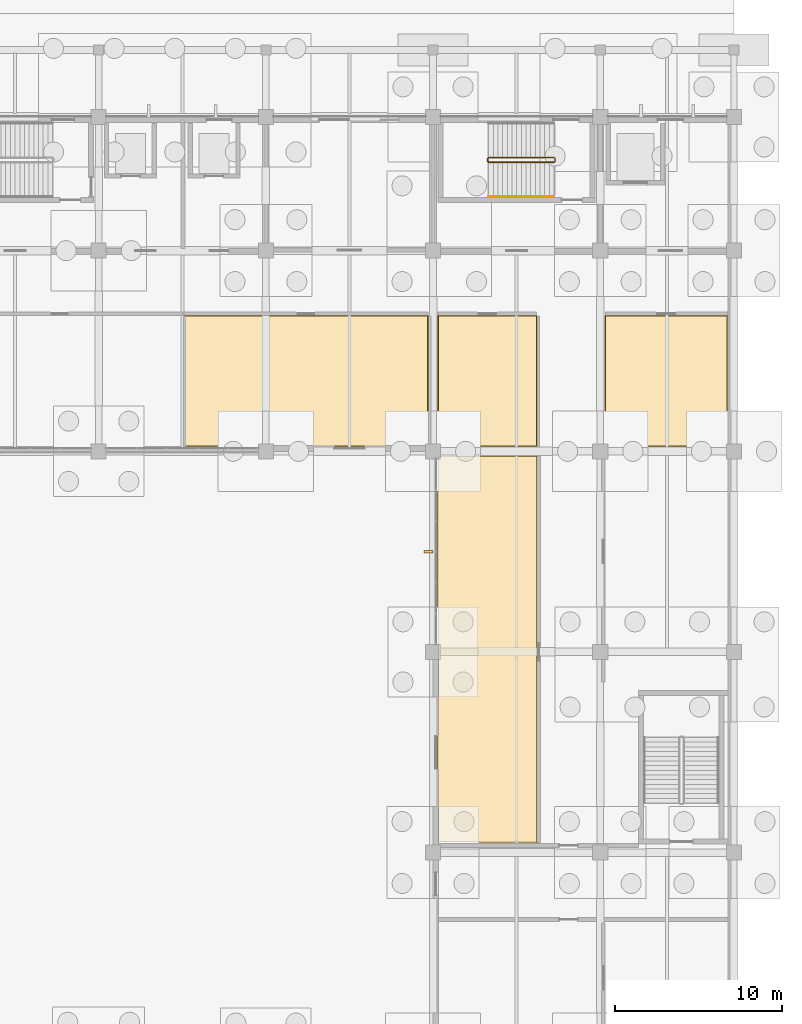
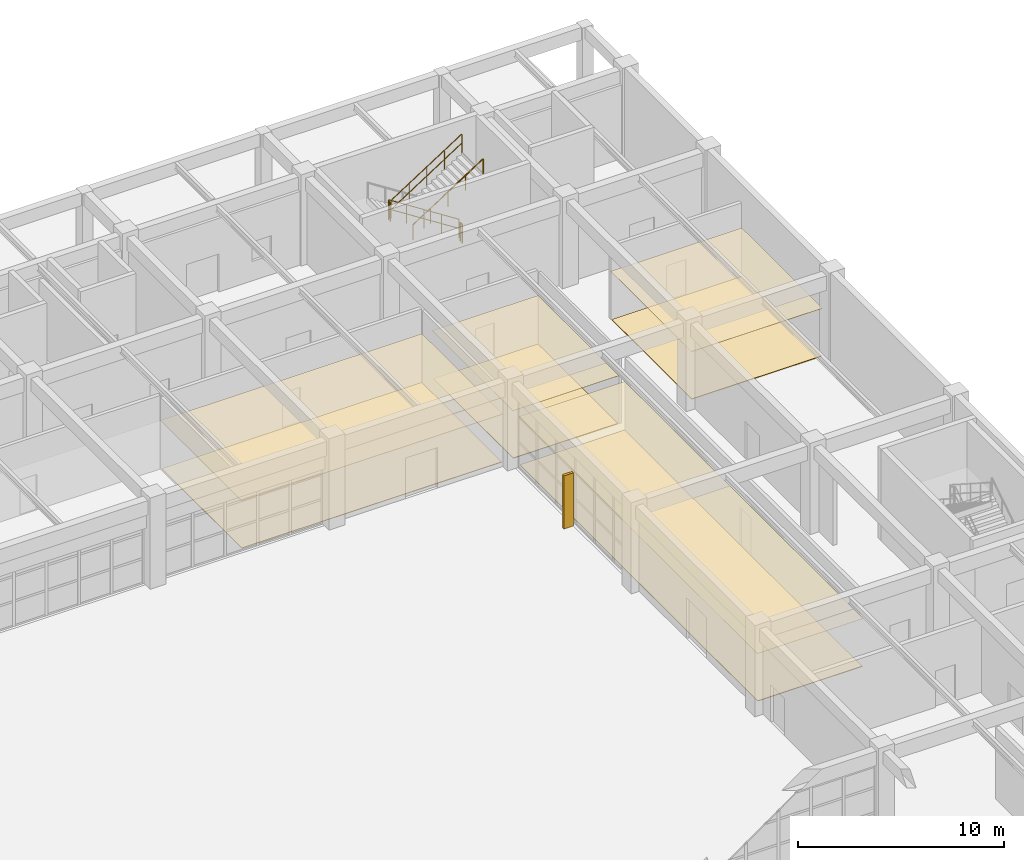
# One storey, part 97 of 99: 8 coverings, 5 railings, 1 shading device.
"""IFC4 building model written with IfcOpenShell, lengths in metres."""

from ifc_helpers import new_model, si_unit, direction, frame, origin, origin_2d, place, context, subcontext, project, spatial, polyline, rectangle, circle, outline, extrude, material, layer, layer_set, type_object, element, save


model = new_model("IFC4")

# Units and contexts
model_context = context("Model", 3, precision=1e-05, world=origin(), true_north=direction((0.0, 1.0)))
body_context = subcontext(model_context, "Body", "Model", "MODEL_VIEW")
ifc_project = project(units=[si_unit("LENGTHUNIT", "METRE"), si_unit("AREAUNIT", "SQUARE_METRE"), si_unit("VOLUMEUNIT", "CUBIC_METRE"), si_unit("PLANEANGLEUNIT", "RADIAN"), si_unit("MASSUNIT", "GRAM", prefix="KILO")], contexts=[model_context])

# Site, building, storey
site_placement = place(None, origin())
site = spatial("IfcSite", under=ifc_project, at=site_placement, CompositionType="ELEMENT")
building_placement = place(site_placement, origin())
building = spatial("IfcBuilding", under=site, at=building_placement, Name="Kivolera Central Railway Station", CompositionType="ELEMENT")
storey_placement = place(building_placement, origin())
storey = spatial("IfcBuildingStorey", under=building, at=storey_placement, Name="L00", CompositionType="ELEMENT", Elevation=0.0)

# Shading device
ifc_material_1 = material(Name="Precast concrete C40/50", Category="concrete")
shading_device_type = type_object("IfcShadingDeviceType", Name="BS-FIN-CRT", PredefinedType="USERDEFINED", material=ifc_material_1)
shading_device_placement = place(storey_placement, frame((177.735107421875, 108.0, 0.0), z_axis=(0.0, 0.0, 1.0), x_axis=(1.0, 0.0, 0.0)))
element("IfcShadingDevice", 1, at=shading_device_placement, inside=storey, type_object=shading_device_type, Name="L00 Courtyard East Solar Brise-Soleil Fin J", ObjectType="FIN", PredefinedType="USERDEFINED", context=body_context, shape_type="SweptSolid", body=[
    extrude(rectangle(XDim=0.550048828125, YDim=0.139892578125, at=origin_2d()), origin(), (0.0, 0.0, 1.0), 3.14990234375),
])

# Coverings
ifc_material_2 = material(Name="Mineral fibre acoustic tile")
ifc_layer_1 = layer(ifc_material_2, 0.02001953125, Name="Mineral fibre acoustic tile")
ifc_layer_set_1 = layer_set([ifc_layer_1], Name="Mineral fibre acoustic tile")
covering_type_1 = type_object("IfcCoveringType", Name="COV-CEIL-20", PredefinedType="CEILING", material=ifc_layer_set_1)
covering_1_placement = place(storey_placement, frame((0.0, 0.0, 2.85009765625)))
element("IfcCovering", 2, at=covering_1_placement, inside=storey, type_object=covering_type_1, Name="L00 Currency Exchange Kiosk Shop Acoustic Ceiling", PredefinedType="CEILING", context=body_context, shape_type="SweptSolid", body=[
    extrude(outline(polyline([(178.280029296875, 114.280029296875), (184.219970703125, 114.280029296875), (184.219970703125, 122.1201171875), (178.280029296875, 122.1201171875), (178.280029296875, 114.280029296875)])), origin(), (0.0, 0.0, 1.0), 0.02001953125),
])
covering_2_placement = place(storey_placement, frame((0.0, 0.0, 2.85009765625)))
element("IfcCovering", 3, at=covering_2_placement, inside=storey, type_object=covering_type_1, Name="L00 Botanical Florist and Gift Shop Acoustic Ceiling", PredefinedType="CEILING", context=body_context, shape_type="SweptSolid", body=[
    extrude(outline(polyline([(178.280029296875, 90.580078125), (184.219970703125, 90.580078125), (184.219970703125, 113.719970703125), (178.280029296875, 113.719970703125), (178.280029296875, 90.580078125)])), origin(), (0.0, 0.0, 1.0), 0.02001953125),
])
ifc_material_3 = material(Name="Hardwood mvule timber", Category="wood")
ifc_layer_2 = layer(ifc_material_3, 0.02490234375, Name="Hardwood mvule timber")
ifc_layer_set_2 = layer_set([ifc_layer_2], Name="Hardwood mvule timber")
covering_type_2 = type_object("IfcCoveringType", Name="COV-CEIL-25", PredefinedType="CEILING", material=ifc_layer_set_2)
covering_3_placement = place(storey_placement, frame((0.0, 0.0, 2.85009765625)))
element("IfcCovering", 4, at=covering_3_placement, inside=storey, type_object=covering_type_2, Name="L00 Transit Police and Station Security Office Acoustic Ceiling", PredefinedType="CEILING", context=body_context, shape_type="SweptSolid", body=[
    extrude(outline(polyline([(188.280029296875, 114.280029296875), (195.6201171875, 114.280029296875), (195.6201171875, 122.1201171875), (188.280029296875, 122.1201171875), (188.280029296875, 114.280029296875)])), origin(), (0.0, 0.0, 1.0), 0.02490234375),
])
ifc_layer_3 = layer(ifc_material_2, 0.030029296875, Name="Mineral fibre acoustic tile")
ifc_layer_set_3 = layer_set([ifc_layer_3], Name="Mineral fibre acoustic tile")
covering_type_3 = type_object("IfcCoveringType", Name="COV-CEIL-30", PredefinedType="CEILING", material=ifc_layer_set_3)
covering_4_placement = place(storey_placement, frame((0.0, 0.0, 2.85009765625)))
element("IfcCovering", 5, at=covering_4_placement, inside=storey, type_object=covering_type_3, Name="L00 Monsoon Arcade Espresso Cafe Acoustic Ceiling", PredefinedType="CEILING", context=body_context, shape_type="SweptSolid", body=[
    extrude(outline(polyline([(163.080078125, 114.280029296875), (177.719970703125, 114.280029296875), (177.719970703125, 122.1201171875), (163.080078125, 122.1201171875), (163.080078125, 114.280029296875)])), origin(), (0.0, 0.0, 1.0), 0.02978515625),
])
ifc_material_4 = material(Name="Swahili coral limestone", Category="masonry")
ifc_layer_4 = layer(ifc_material_4, 0.034912109375, Name="Swahili coral limestone")
ifc_layer_set_4 = layer_set([ifc_layer_4], Name="Swahili coral limestone")
covering_type_4 = type_object("IfcCoveringType", Name="COV-FLR-35", PredefinedType="FLOORING", material=ifc_layer_set_4)
covering_5_placement = place(storey_placement, origin())
element("IfcCovering", 6, at=covering_5_placement, inside=storey, type_object=covering_type_4, Name="L00 Monsoon Arcade Espresso Cafe Floor Finish", PredefinedType="FLOORING", context=body_context, shape_type="SweptSolid", body=[
    extrude(outline(polyline([(163.1201171875, 114.320068359375), (177.679931640625, 114.320068359375), (177.679931640625, 122.080078125), (163.1201171875, 122.080078125), (163.1201171875, 114.320068359375)])), origin(), (0.0, 0.0, 1.0), 0.034912109375),
])
covering_6_placement = place(storey_placement, origin())
element("IfcCovering", 7, at=covering_6_placement, inside=storey, type_object=covering_type_4, Name="L00 Currency Exchange Kiosk Shop Floor Finish", PredefinedType="FLOORING", context=body_context, shape_type="SweptSolid", body=[
    extrude(outline(polyline([(178.320068359375, 114.320068359375), (184.179931640625, 114.320068359375), (184.179931640625, 122.080078125), (178.320068359375, 122.080078125), (178.320068359375, 114.320068359375)])), origin(), (0.0, 0.0, 1.0), 0.034912109375),
])
covering_7_placement = place(storey_placement, origin())
element("IfcCovering", 8, at=covering_7_placement, inside=storey, type_object=covering_type_4, Name="L00 Transit Police and Station Security Office Floor Finish", PredefinedType="FLOORING", context=body_context, shape_type="SweptSolid", body=[
    extrude(outline(polyline([(188.320068359375, 114.320068359375), (195.580078125, 114.320068359375), (195.580078125, 122.080078125), (188.320068359375, 122.080078125), (188.320068359375, 114.320068359375)])), origin(), (0.0, 0.0, 1.0), 0.034912109375),
])
covering_8_placement = place(storey_placement, origin())
element("IfcCovering", 9, at=covering_8_placement, inside=storey, type_object=covering_type_4, Name="L00 Botanical Florist and Gift Shop Floor Finish", PredefinedType="FLOORING", context=body_context, shape_type="SweptSolid", body=[
    extrude(outline(polyline([(178.320068359375, 90.6201171875), (184.179931640625, 90.6201171875), (184.179931640625, 113.679931640625), (178.320068359375, 113.679931640625), (178.320068359375, 90.6201171875)])), origin(), (0.0, 0.0, 1.0), 0.034912109375),
])

# Railings
ifc_material_5 = material(Name="Anodised aluminium", Category="aluminium")
ifc_layer_5 = layer(ifc_material_5, 0.048095703125, Name="Anodised aluminium")
ifc_layer_set_5 = layer_set([ifc_layer_5], Name="Anodised aluminium")
railing_type_1 = type_object("IfcRailingType", Name="RL-STAIR-GUARD", PredefinedType="GUARDRAIL", material=ifc_layer_set_5)
railing_1_placement = place(storey_placement, frame((185.239990234375, 131.570068359375, 0.179931640625)))
element("IfcRailing", 10, at=railing_1_placement, inside=storey, type_object=railing_type_1, Name="L00 ST3 stair guard 1", PredefinedType="GUARDRAIL", context=body_context, shape_type="SweptSolid", body=[
    extrude(circle(Radius=0.02392578125, at=origin_2d()), frame((0.0, 0.0, 1.10595703125), z_axis=(-0.841171666519, 0.0, 0.540768182723), x_axis=(0.0, -1.0, 0.0)), (0.0, 0.0, 1.0), 4.66015625),
    extrude(circle(Radius=0.02392578125, at=origin_2d()), frame((0.0, 0.0, 0.56494140625), z_axis=(-0.841171666519, 0.0, 0.540768182723), x_axis=(0.0, -1.0, 0.0)), (0.0, 0.0, 1.0), 4.66015625),
    extrude(circle(Radius=0.02099609375, at=origin_2d()), origin(), (0.0, 0.0, 1.0), 1.081787109375),
    extrude(circle(Radius=0.02099609375, at=origin_2d()), frame((-0.97998046875, 0.0, 0.6298828125)), (0.0, 0.0, 1.0), 1.081787109375),
    extrude(circle(Radius=0.02099609375, at=origin_2d()), frame((-1.9599609375, 0.0, 1.260009765625)), (0.0, 0.0, 1.0), 1.081787109375),
    extrude(circle(Radius=0.02099609375, at=origin_2d()), frame((-2.93994140625, 0.0, 1.89013671875)), (0.0, 0.0, 1.0), 1.081787109375),
    extrude(circle(Radius=0.02099609375, at=origin_2d()), frame((-3.919921875, 0.0, 2.52001953125)), (0.0, 0.0, 1.0), 1.081787109375),
])
railing_2_placement = place(storey_placement, frame((181.27001953125, 131.52001953125, 2.699951171875)))
element("IfcRailing", 11, at=railing_2_placement, inside=storey, type_object=railing_type_1, Name="L00 ST3 stair guard 2", PredefinedType="GUARDRAIL", context=body_context, shape_type="SweptSolid", body=[
    extrude(circle(Radius=0.02392578125, at=origin_2d()), frame((0.0, 0.0, 1.10595703125), z_axis=(0.0, -1.0, 0.0), x_axis=(1.0, 0.0, 0.0)), (0.0, 0.0, 1.0), 0.179931640625),
    extrude(circle(Radius=0.02392578125, at=origin_2d()), frame((0.0, 0.0, 0.56494140625), z_axis=(0.0, -1.0, 0.0), x_axis=(1.0, 0.0, 0.0)), (0.0, 0.0, 1.0), 0.179931640625),
    extrude(circle(Radius=0.02099609375, at=origin_2d()), origin(), (0.0, 0.0, 1.0), 1.081787109375),
    extrude(circle(Radius=0.02099609375, at=origin_2d()), frame((0.0, -0.179931640625, 0.0)), (0.0, 0.0, 1.0), 1.081787109375),
])
railing_3_placement = place(storey_placement, frame((181.320068359375, 131.2900390625, 2.8798828125)))
element("IfcRailing", 12, at=railing_3_placement, inside=storey, type_object=railing_type_1, Name="L00 ST3 stair guard 3", PredefinedType="GUARDRAIL", context=body_context, shape_type="SweptSolid", body=[
    extrude(circle(Radius=0.02392578125, at=origin_2d()), frame((0.0, 0.0, 1.10595703125), z_axis=(0.841171666519, 0.0, 0.540768182723), x_axis=(0.0, 1.0, 0.0)), (0.0, 0.0, 1.0), 4.66015625),
    extrude(circle(Radius=0.02392578125, at=origin_2d()), frame((0.0, 0.0, 0.56494140625), z_axis=(0.841171666519, 0.0, 0.540768182723), x_axis=(0.0, 1.0, 0.0)), (0.0, 0.0, 1.0), 4.66015625),
    extrude(circle(Radius=0.02099609375, at=origin_2d()), origin(), (0.0, 0.0, 1.0), 1.081787109375),
    extrude(circle(Radius=0.02099609375, at=origin_2d()), frame((0.97998046875, 0.0, 0.6298828125)), (0.0, 0.0, 1.0), 1.081787109375),
    extrude(circle(Radius=0.02099609375, at=origin_2d()), frame((1.9599609375, 0.0, 1.260009765625)), (0.0, 0.0, 1.0), 1.081787109375),
    extrude(circle(Radius=0.02099609375, at=origin_2d()), frame((2.93994140625, 0.0, 1.89013671875)), (0.0, 0.0, 1.0), 1.081787109375),
    extrude(circle(Radius=0.02099609375, at=origin_2d()), frame((3.919921875, 0.0, 2.52001953125)), (0.0, 0.0, 1.0), 1.081787109375),
])
railing_4_placement = place(storey_placement, frame((185.2900390625, 131.52001953125, 0.0)))
element("IfcRailing", 13, at=railing_4_placement, inside=storey, type_object=railing_type_1, Name="L00 ST3 stair guard 4", PredefinedType="GUARDRAIL", context=body_context, shape_type="SweptSolid", body=[
    extrude(circle(Radius=0.02392578125, at=origin_2d()), frame((0.0, 0.0, 1.10595703125), z_axis=(0.0, -1.0, 0.0), x_axis=(1.0, 0.0, 0.0)), (0.0, 0.0, 1.0), 0.179931640625),
    extrude(circle(Radius=0.02392578125, at=origin_2d()), frame((0.0, 0.0, 0.56494140625), z_axis=(0.0, -1.0, 0.0), x_axis=(1.0, 0.0, 0.0)), (0.0, 0.0, 1.0), 0.179931640625),
    extrude(circle(Radius=0.02099609375, at=origin_2d()), origin(), (0.0, 0.0, 1.0), 1.081787109375),
    extrude(circle(Radius=0.02099609375, at=origin_2d()), frame((0.0, -0.179931640625, 0.0)), (0.0, 0.0, 1.0), 1.081787109375),
])
ifc_layer_6 = layer(ifc_material_5, 0.048095703125, Name="Anodised aluminium")
ifc_layer_set_6 = layer_set([ifc_layer_6], Name="Anodised aluminium")
railing_type_2 = type_object("IfcRailingType", Name="RL-STAIR-HAND", PredefinedType="HANDRAIL", material=ifc_layer_set_6)
railing_5_placement = place(storey_placement, frame((181.320068359375, 129.22998046875, 2.8798828125)))
element("IfcRailing", 14, at=railing_5_placement, inside=storey, type_object=railing_type_2, Name="L00 ST3 stair handrail 2", PredefinedType="HANDRAIL", context=body_context, shape_type="SweptSolid", body=[
    extrude(circle(Radius=0.02392578125, at=origin_2d()), frame((0.0, 0.0, 0.8759765625), z_axis=(0.841171666519, 0.0, 0.540768182723), x_axis=(0.0, 1.0, 0.0)), (0.0, 0.0, 1.0), 4.66015625),
    extrude(circle(Radius=0.02099609375, at=origin_2d()), origin(), (0.0, 0.0, 1.0), 0.851806640625),
    extrude(circle(Radius=0.02099609375, at=origin_2d()), frame((0.97998046875, 0.0, 0.6298828125)), (0.0, 0.0, 1.0), 0.851806640625),
    extrude(circle(Radius=0.02099609375, at=origin_2d()), frame((1.9599609375, 0.0, 1.260009765625)), (0.0, 0.0, 1.0), 0.851806640625),
    extrude(circle(Radius=0.02099609375, at=origin_2d()), frame((2.93994140625, 0.0, 1.89013671875)), (0.0, 0.0, 1.0), 0.851806640625),
    extrude(circle(Radius=0.02099609375, at=origin_2d()), frame((3.919921875, 0.0, 2.52001953125)), (0.0, 0.0, 1.0), 0.851806640625),
])

save(model, "model.ifc")
